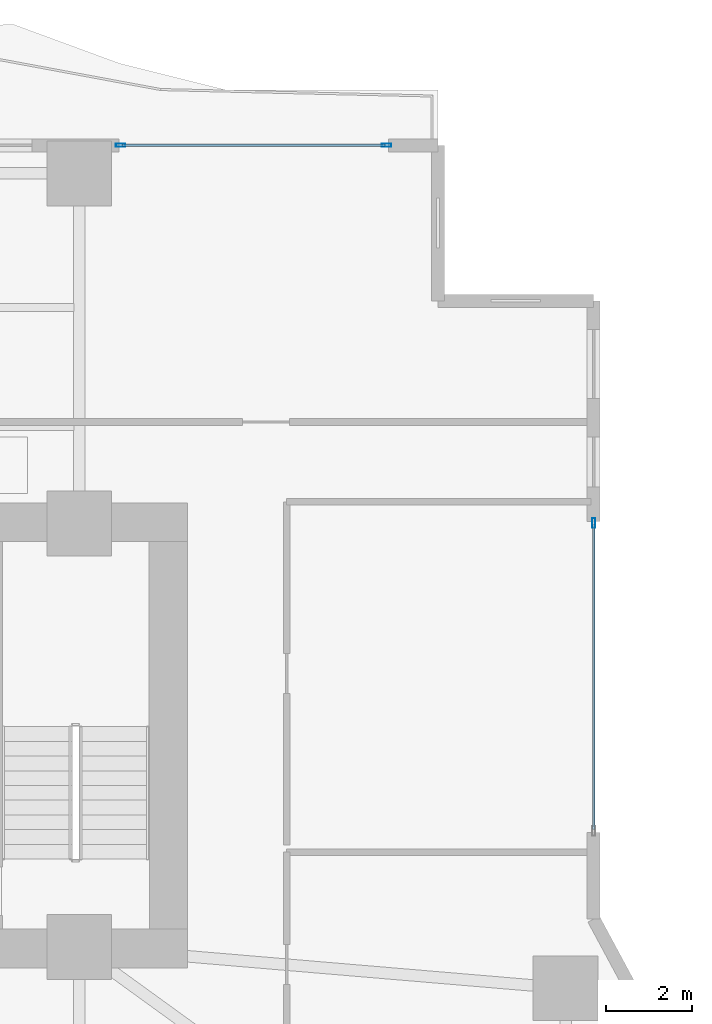
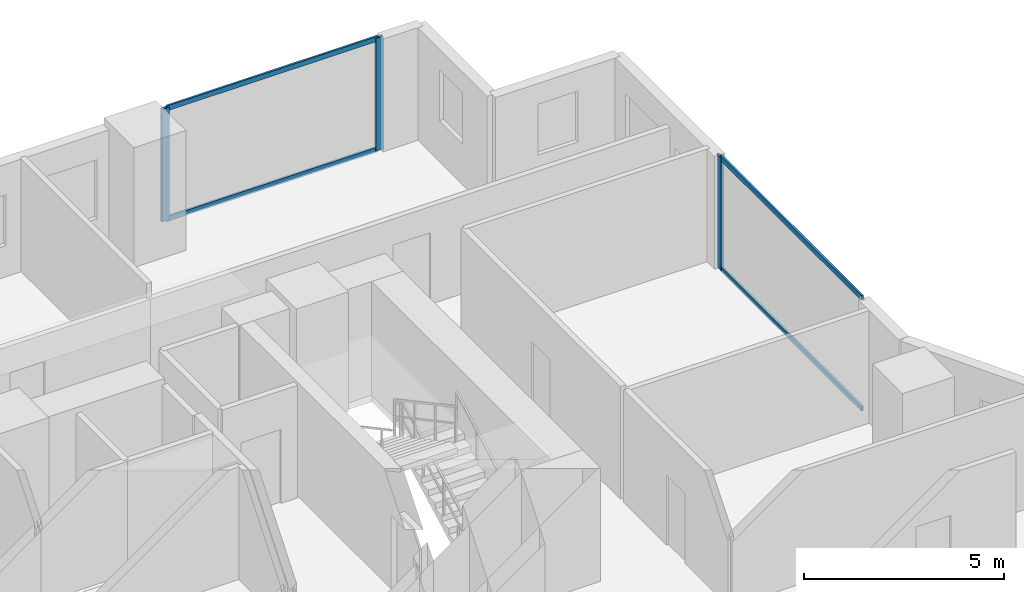
# One storey, part 16 of 29: 7 members, 2 elements without a shape of their own.
"""IFC4 building model written with IfcOpenShell, lengths in metres."""

from ifc_helpers import new_model, si_unit, direction, frame, origin, origin_2d, place, context, subcontext, project, spatial, hollow_rectangle, extrude, material, layer, layer_set, material_profile, profile_set, type_object, element, aggregate, save


model = new_model("IFC4")

# Units and contexts
model_context = context("Model", 3, precision=1e-05, world=origin(), true_north=direction((0.0, 1.0)))
body_context = subcontext(model_context, "Body", "Model", "MODEL_VIEW")
ifc_project = project(units=[si_unit("LENGTHUNIT", "METRE"), si_unit("AREAUNIT", "SQUARE_METRE"), si_unit("VOLUMEUNIT", "CUBIC_METRE"), si_unit("PLANEANGLEUNIT", "RADIAN"), si_unit("MASSUNIT", "GRAM", prefix="KILO")], contexts=[model_context])

# Site, building, storey
site_placement = place(None, origin())
site = spatial("IfcSite", under=ifc_project, at=site_placement, CompositionType="ELEMENT")
building_placement = place(site_placement, origin())
building = spatial("IfcBuilding", under=site, at=building_placement, Name="Zuhayl Quay Hotel", CompositionType="ELEMENT")
storey_placement = place(building_placement, frame((0.0, 0.0, 45.85009765625)))
storey = spatial("IfcBuildingStorey", under=building, at=storey_placement, Name="L10", CompositionType="ELEMENT", Elevation=45.85009765625)

# Curtain wall, members
ifc_material_1 = material(Name="Anodised Aluminium 6063-T6", Category="aluminium")
ifc_layer = layer(ifc_material_1, 0.18994140625, Name="Anodised Aluminium 6063-T6", Category="aluminium")
ifc_layer_set = layer_set([ifc_layer], Name="Anodised Aluminium 6063-T6")
curtain_wall_type = type_object("IfcCurtainWallType", Name="CW_SYS_Z1", PredefinedType="USERDEFINED", material=ifc_layer_set)
curtain_wall_1_placement = place(storey_placement, origin())
curtain_wall_1 = element("IfcCurtainWall", 1, at=curtain_wall_1_placement, inside=storey, type_object=curtain_wall_type, Name="L10 Curtain Wall ENV_L10_N_CW5", ObjectType="UNITISED CURTAIN WALL", PredefinedType="USERDEFINED")
ifc_material_2 = material(Name="Black-anodised aluminium 6063-T6", Category="aluminium")
ifc_material_profile_1 = material_profile(ifc_material_2, hollow_rectangle(XDim=0.074951171875, YDim=0.219970703125, WallThickness=0.00390625, at=origin_2d()), Name="ALU220X75")
ifc_profile_set_1 = profile_set([ifc_material_profile_1], Name="Black-anodised aluminium 6063-T6")
member_type_1 = type_object("IfcMemberType", Name="MB_CW_MUL_220", PredefinedType="MULLION", material=ifc_profile_set_1)
member_1_placement = place(storey_placement, frame((14.757568359375, 23.10009765625, 0.0), z_axis=(0.0, 0.0, 1.0), x_axis=(0.0, 1.0, 0.0)))
member_1 = element("IfcMember", 2, at=member_1_placement, type_object=member_type_1, Name="CW-Z1 mullion 1", PredefinedType="MULLION", context=body_context, shape_type="SweptSolid", body=[
    extrude(hollow_rectangle(XDim=0.074951171875, YDim=0.219970703125, WallThickness=0.00390625, at=origin_2d()), origin(), (0.0, 0.0, 1.0), 3.429931640625),
])
member_2_placement = place(storey_placement, frame((20.91259765625, 23.10009765625, 0.0), z_axis=(0.0, 0.0, 1.0), x_axis=(0.0, 1.0, 0.0)))
member_2 = element("IfcMember", 3, at=member_2_placement, type_object=member_type_1, Name="CW-Z1 mullion 2", PredefinedType="MULLION", context=body_context, shape_type="SweptSolid", body=[
    extrude(hollow_rectangle(XDim=0.074951171875, YDim=0.219970703125, WallThickness=0.00390625, at=origin_2d()), origin(), (0.0, 0.0, 1.0), 3.429931640625),
])

# Curtain wall, member
curtain_wall_2_placement = place(storey_placement, origin())
curtain_wall_2 = element("IfcCurtainWall", 4, at=curtain_wall_2_placement, inside=storey, type_object=curtain_wall_type, Name="L10 Curtain Wall ENV_L10_E11_CW1", ObjectType="UNITISED CURTAIN WALL", PredefinedType="USERDEFINED")
member_3_placement = place(storey_placement, frame((25.699951171875, 14.362548828125, 0.0), z_axis=(0.0, 0.0, 1.0), x_axis=(1.0, 0.0, 0.0)))
member_3 = element("IfcMember", 5, at=member_3_placement, type_object=member_type_1, Name="CW-Z1 mullion 1", PredefinedType="MULLION", context=body_context, shape_type="SweptSolid", body=[
    extrude(hollow_rectangle(XDim=0.074951171875, YDim=0.219970703125, WallThickness=0.00390625, at=origin_2d()), origin(), (0.0, 0.0, 1.0), 3.429931640625),
])

# Member
ifc_material_profile_2 = material_profile(ifc_material_2, hollow_rectangle(XDim=0.06005859375, YDim=0.14990234375, WallThickness=0.00341796875, at=origin_2d()), Name="ALU150X60")
ifc_profile_set_2 = profile_set([ifc_material_profile_2], Name="Black-anodised aluminium 6063-T6")
member_type_2 = type_object("IfcMemberType", Name="MB_CW_TRN_150", PredefinedType="USERDEFINED", material=ifc_profile_set_2)
member_4_placement = place(storey_placement, frame((14.794921875, 23.10009765625, 0.02978515625), z_axis=(1.0, 0.0, 0.0), x_axis=(0.0, 1.0, 0.0)))
member_4 = element("IfcMember", 6, at=member_4_placement, type_object=member_type_2, Name="CW-Z1 transom 1.1", ObjectType="TRANSOM", PredefinedType="USERDEFINED", context=body_context, shape_type="SweptSolid", body=[
    extrude(hollow_rectangle(XDim=0.06005859375, YDim=0.14990234375, WallThickness=0.00341796875, at=origin_2d()), origin(), (0.0, 0.0, 1.0), 6.080078125),
])

member_5_placement = place(storey_placement, frame((14.794921875, 23.10009765625, 3.39990234375), z_axis=(1.0, 0.0, 0.0), x_axis=(0.0, 1.0, 0.0)))
member_5 = element("IfcMember", 7, at=member_5_placement, type_object=member_type_2, Name="CW-Z1 transom 1.2", ObjectType="TRANSOM", PredefinedType="USERDEFINED", context=body_context, shape_type="SweptSolid", body=[
    extrude(hollow_rectangle(XDim=0.06005859375, YDim=0.14990234375, WallThickness=0.00341796875, at=origin_2d()), origin(), (0.0, 0.0, 1.0), 6.080078125),
])

aggregate(curtain_wall_1, [member_1, member_2, member_4, member_5])

member_6_placement = place(storey_placement, frame((25.699951171875, 14.324951171875, 0.02978515625), z_axis=(0.0, -1.0, 0.0), x_axis=(1.0, 0.0, 0.0)))
member_6 = element("IfcMember", 8, at=member_6_placement, type_object=member_type_2, Name="CW-Z1 transom 1.1", ObjectType="TRANSOM", PredefinedType="USERDEFINED", context=body_context, shape_type="SweptSolid", body=[
    extrude(hollow_rectangle(XDim=0.06005859375, YDim=0.14990234375, WallThickness=0.00341796875, at=origin_2d()), origin(), (0.0, 0.0, 1.0), 7.050048828125),
])

member_7_placement = place(storey_placement, frame((25.699951171875, 14.324951171875, 3.39990234375), z_axis=(0.0, -1.0, 0.0), x_axis=(1.0, 0.0, 0.0)))
member_7 = element("IfcMember", 9, at=member_7_placement, type_object=member_type_2, Name="CW-Z1 transom 1.2", ObjectType="TRANSOM", PredefinedType="USERDEFINED", context=body_context, shape_type="SweptSolid", body=[
    extrude(hollow_rectangle(XDim=0.06005859375, YDim=0.14990234375, WallThickness=0.00341796875, at=origin_2d()), origin(), (0.0, 0.0, 1.0), 7.050048828125),
])

aggregate(curtain_wall_2, [member_3, member_6, member_7])

save(model, "model.ifc")
